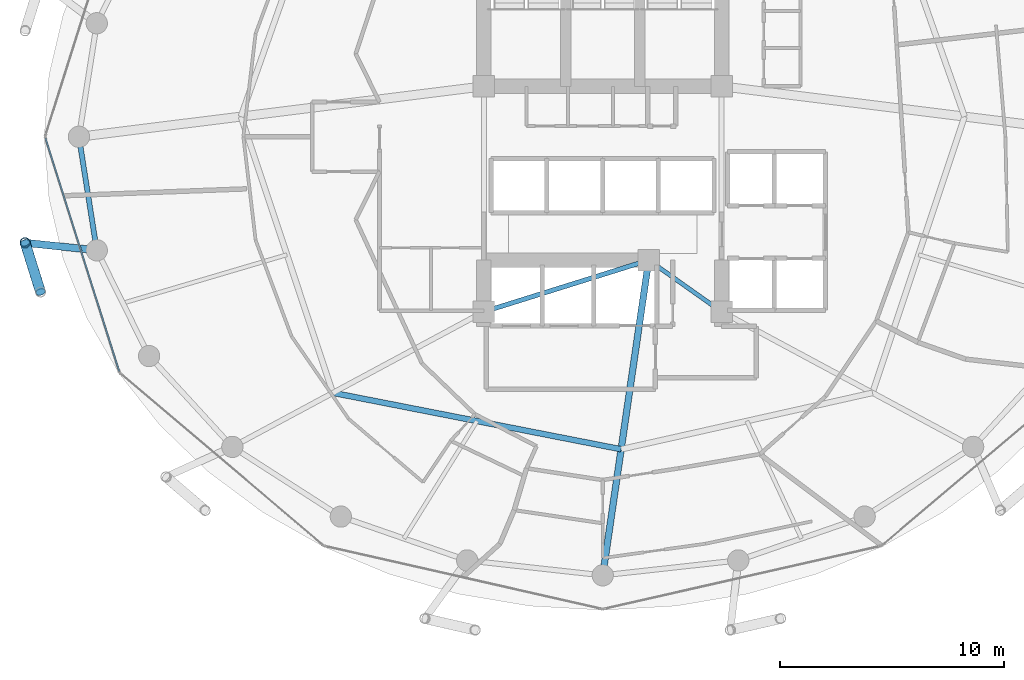
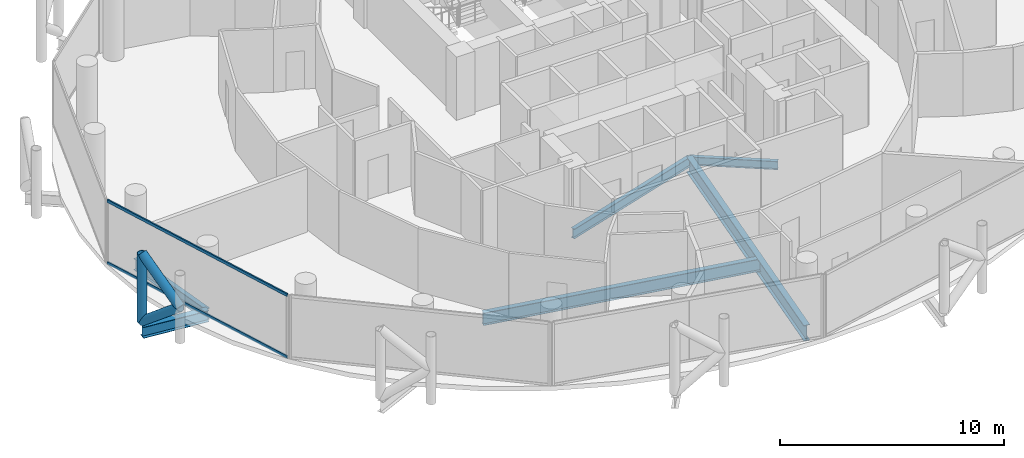
# One storey, part 5 of 26: 6 beams, 5 members, 1 element without a shape of its own.
"""IFC4 building model written with IfcOpenShell, lengths in metres."""

import ifcopenshell
import ifcopenshell.guid

model = None  # the IFC model being written
_history = None  # IfcOwnerHistory: only IFC2X3 demands one
_inside = {}  # id of a spatial element -> (the spatial element, [elements in it])
_under = {}  # id of a project, library or spatial element -> (it, [spatial elements below it])
_declared = {}  # id of a project -> (the project, [libraries it declares])
_typed = {}  # id of a type object -> (the type object, [elements of that type])
_made_of = {}  # id of a material, layer set ... -> (it, [elements and type objects made of it])


def new_model(schema):
    """Start an empty IFC model of exactly this schema.

    Asked for "IFC4X3", IfcOpenShell would pick the latest addendum, in which some entities
    have other attributes; the version numbers below select the first issue.
    IFC2X3 requires an IfcOwnerHistory on every rooted entity: one is made here for all.
    """
    global model, _history
    if schema == "IFC4X3":
        model = ifcopenshell.file(schema_version=(4, 3, 0, 0))
    else:
        model = ifcopenshell.file(schema=schema)
    _inside.clear()
    _under.clear()
    _declared.clear()
    _typed.clear()
    _made_of.clear()
    _history = None
    if model.schema == "IFC2X3":
        org = make("IfcOrganization", Name="unknown")
        user = make(
            "IfcPersonAndOrganization",
            ThePerson=make("IfcPerson", FamilyName="unknown"),
            TheOrganization=org,
        )
        app = make(
            "IfcApplication",
            ApplicationDeveloper=org,
            Version="unknown",
            ApplicationFullName="unknown",
            ApplicationIdentifier="unknown",
        )
        _history = make(
            "IfcOwnerHistory",
            OwningUser=user,
            OwningApplication=app,
            ChangeAction="ADDED",
            CreationDate=0,
        )
    return model


def make(cls, **values):
    """One entity of the class cls with the attributes given. An attribute that is None is left unset."""
    return model.create_entity(
        cls, **{name: value for name, value in values.items() if value is not None}
    )


def rooted(cls, **values):
    """An entity with a GlobalId (a new one), such as an element, a storey or a relation."""
    return make(cls, GlobalId=ifcopenshell.guid.new(), OwnerHistory=_history, **values)


def si_unit(unit_type, name, prefix=None):
    """IfcSIUnit, for example si_unit("LENGTHUNIT", "METRE", prefix="MILLI")."""
    return make("IfcSIUnit", UnitType=unit_type, Prefix=prefix, Name=name)


def assignment(units):
    """IfcUnitAssignment: the units of a project."""
    return None if units is None else make("IfcUnitAssignment", Units=units)


def point(xyz):
    """IfcCartesianPoint."""
    return None if xyz is None else make("IfcCartesianPoint", Coordinates=xyz)


def direction(xyz):
    """IfcDirection."""
    return None if xyz is None else make("IfcDirection", DirectionRatios=xyz)


def frame(location, z_axis=None, x_axis=None):
    """IfcAxis2Placement3D, a coordinate frame: its origin and axes. An axis left out is left unset."""
    return make(
        "IfcAxis2Placement3D",
        Location=point(location),
        Axis=direction(z_axis),
        RefDirection=direction(x_axis),
    )


def frame_2d(location, x_axis=None):
    """IfcAxis2Placement2D, a coordinate frame in the plane: its origin and x axis."""
    return make(
        "IfcAxis2Placement2D", Location=point(location), RefDirection=direction(x_axis)
    )


def origin():
    """The frame at (0, 0, 0) with its axes left unset."""
    return frame((0.0, 0.0, 0.0))


def origin_2d():
    """The frame at (0, 0) in the plane with its x axis left unset."""
    return frame_2d((0.0, 0.0))


def place(relative_to, where):
    """IfcLocalPlacement: puts the frame where relative to a parent placement (None: the world)."""
    return make(
        "IfcLocalPlacement", PlacementRelTo=relative_to, RelativePlacement=where
    )


def context(
    kind, dimensions, precision=None, world=None, true_north=None, identifier=None
):
    """IfcGeometricRepresentationContext, for example the 3D "Model" context."""
    return make(
        "IfcGeometricRepresentationContext",
        ContextIdentifier=identifier,
        ContextType=kind,
        CoordinateSpaceDimension=dimensions,
        Precision=precision,
        WorldCoordinateSystem=world,
        TrueNorth=true_north,
    )


def subcontext(parent, identifier, kind, view, scale=None):
    """IfcGeometricRepresentationSubContext, for example "Body" below "Model"."""
    return make(
        "IfcGeometricRepresentationSubContext",
        ContextIdentifier=identifier,
        ContextType=kind,
        ParentContext=parent,
        TargetScale=scale,
        TargetView=view,
    )


def project(units=None, contexts=None):
    """IfcProject with its units and contexts."""
    return rooted(
        "IfcProject",
        Name="project",
        RepresentationContexts=contexts,
        UnitsInContext=assignment(units),
    )


def spatial(cls, under=None, at=None, **own):
    """A site, building, storey or space (cls), placed at a placement, below another one or the project."""
    s = rooted(cls, ObjectPlacement=at, **own)
    if under is not None:
        _under.setdefault(under.id(), (under, []))[1].append(s)
    return s


def profile(cls, at=None, kind="AREA", **sizes):
    """A parametric profile (cls). Its sizes go by their IFC names, for example OverallWidth=200.0."""
    return make(cls, ProfileType=kind, Position=at, **sizes)


def hollow_rectangle(**sizes):
    """IfcRectangleHollowProfileDef."""
    return profile("IfcRectangleHollowProfileDef", **sizes)


def hollow_circle(**sizes):
    """IfcCircleHollowProfileDef."""
    return profile("IfcCircleHollowProfileDef", **sizes)


def i_section(**sizes):
    """IfcIShapeProfileDef."""
    return profile("IfcIShapeProfileDef", **sizes)


def extrude(swept, where, along, depth):
    """IfcExtrudedAreaSolid: the profile swept, set in the frame where, extruded along a direction by depth."""
    return make(
        "IfcExtrudedAreaSolid",
        SweptArea=swept,
        Position=where,
        ExtrudedDirection=direction(along),
        Depth=depth,
    )


def shape(context_of_items, identifier, shape_type, items):
    """IfcShapeRepresentation: the items that make up one representation, for example the "Body"."""
    return make(
        "IfcShapeRepresentation",
        ContextOfItems=context_of_items,
        RepresentationIdentifier=identifier,
        RepresentationType=shape_type,
        Items=items,
    )


def material(Name=None, Category=None):
    """IfcMaterial."""
    return make("IfcMaterial", Name=Name, Category=Category)


def layer(
    of_material, thickness, ventilated=None, Name=None, Category=None, Priority=None
):
    """IfcMaterialLayer: one layer of a wall or slab, of a material (None: an air gap)."""
    return make(
        "IfcMaterialLayer",
        Material=of_material,
        LayerThickness=thickness,
        IsVentilated=ventilated,
        Name=Name,
        Category=Category,
        Priority=Priority,
    )


def layer_set(layers, Name=None):
    """IfcMaterialLayerSet."""
    return make("IfcMaterialLayerSet", MaterialLayers=layers, LayerSetName=Name)


def material_profile(
    of_material, cross_section, Name=None, Category=None, Priority=None
):
    """IfcMaterialProfile: a cross section and its material."""
    return make(
        "IfcMaterialProfile",
        Name=Name,
        Material=of_material,
        Profile=cross_section,
        Priority=Priority,
        Category=Category,
    )


def profile_set(profiles, Name=None, composite=None):
    """IfcMaterialProfileSet."""
    return make(
        "IfcMaterialProfileSet",
        Name=Name,
        MaterialProfiles=profiles,
        CompositeProfile=composite,
    )


def made_of(thing, what):
    """Note that an element or type object is made of a material, layer set ...; save() writes the relation."""
    if what is not None:
        _made_of.setdefault(what.id(), (what, []))[1].append(thing)
    return thing


def type_object(cls, material=None, **own):
    """A type object (cls), such as IfcWallType, which elements share."""
    return made_of(rooted(cls, **own), material)


def element(
    cls,
    number,
    at=None,
    inside=None,
    cuts=None,
    type_object=None,
    material=None,
    context=None,
    identifier="Body",
    shape_type=None,
    held_by="IfcProductDefinitionShape",
    body=None,
    shapes=None,
    **own,
):
    """One element of the class cls, such as IfcWall. Its Tag is "e" and its number.

    at: its placement. inside: the storey or other place that contains it. cuts: it is an
    opening in that element (IfcRelVoidsElement). A single representation is given by context,
    identifier, shape_type and body (its items); several are given by shapes. held_by: the class
    of the entity that holds the representations. save() writes the other relations.
    """
    e = rooted(cls, Tag="e%d" % number, ObjectPlacement=at, **own)
    if body is not None:
        shapes = [shape(context, identifier, shape_type, body)]
    if shapes is not None:
        e.Representation = make(held_by, Representations=shapes)
    if inside is not None:
        _inside.setdefault(inside.id(), (inside, []))[1].append(e)
    if cuts is not None:
        rooted(
            "IfcRelVoidsElement", RelatingBuildingElement=cuts, RelatedOpeningElement=e
        )
    if type_object is not None:
        _typed.setdefault(type_object.id(), (type_object, []))[1].append(e)
    return made_of(e, material)


def aggregate(whole, parts):
    """IfcRelAggregates: a whole, such as a stair, and the parts it consists of."""
    return rooted("IfcRelAggregates", RelatingObject=whole, RelatedObjects=parts)


def save(model, path):
    """Write the relations noted so far, then the file.

    IfcRelAggregates (storeys below a building ...), IfcRelContainedInSpatialStructure (elements
    in a storey), IfcRelDefinesByType, IfcRelAssociatesMaterial and IfcRelDeclares: one each for
    every whole, place, type object, material and project.
    """
    for whole, parts in _under.values():
        aggregate(whole, parts)
    for where, things in _inside.values():
        rooted(
            "IfcRelContainedInSpatialStructure",
            RelatedElements=things,
            RelatingStructure=where,
        )
    for kind, things in _typed.values():
        rooted("IfcRelDefinesByType", RelatedObjects=things, RelatingType=kind)
    for what, things in _made_of.values():
        rooted("IfcRelAssociatesMaterial", RelatedObjects=things, RelatingMaterial=what)
    for by, libraries in _declared.values():
        rooted("IfcRelDeclares", RelatingContext=by, RelatedDefinitions=libraries)
    model.write(path)


model = new_model("IFC4")

# Units and contexts
model_context = context("Model", 3, precision=1e-05, world=origin(), true_north=direction((0.0, 1.0)))
body_context = subcontext(model_context, "Body", "Model", "MODEL_VIEW")
ifc_project = project(units=[si_unit("LENGTHUNIT", "METRE"), si_unit("AREAUNIT", "SQUARE_METRE"), si_unit("VOLUMEUNIT", "CUBIC_METRE"), si_unit("PLANEANGLEUNIT", "RADIAN"), si_unit("MASSUNIT", "GRAM", prefix="KILO")], contexts=[model_context])

# Site, building, storey
site_placement = place(None, origin())
site = spatial("IfcSite", under=ifc_project, at=site_placement, CompositionType="ELEMENT")
building_placement = place(site_placement, origin())
building = spatial("IfcBuilding", under=site, at=building_placement, Name="Nuhasar Tower", CompositionType="ELEMENT")
storey_placement = place(building_placement, frame((0.0, 0.0, 129.35009765625)))
storey = spatial("IfcBuildingStorey", under=building, at=storey_placement, Name="L30", CompositionType="ELEMENT", Elevation=129.35009765625)

# Beams
ifc_material_1 = material(Name="Steel S355", Category="steel")
ifc_material_profile_1 = material_profile(ifc_material_1, i_section(OverallWidth=0.25390625, OverallDepth=0.68408203125, WebThickness=0.012451171875, FlangeThickness=0.018798828125, at=origin_2d()), Name="W27X94")
ifc_profile_set_1 = profile_set([ifc_material_profile_1], Name="Steel S355")
beam_type_1 = type_object("IfcBeamType", Name="BM-INRING-W27X94", PredefinedType="BEAM", material=ifc_profile_set_1)
beam_1_placement = place(storey_placement, frame((26.972900390625, 15.385986328125, -0.592041015625), z_axis=(0.981359637088, -0.192180286956, 0.0), x_axis=(0.192180286956, 0.981359637088, 0.0)))
element("IfcBeam", 1, at=beam_1_placement, inside=storey, type_object=beam_type_1, Name="L30 Inner Header Beam 01", PredefinedType="BEAM", context=body_context, shape_type="SweptSolid", body=[
    extrude(i_section(OverallWidth=0.25390625, OverallDepth=0.68408203125, WebThickness=0.012451171875, FlangeThickness=0.018798828125, at=origin_2d()), origin(), (0.0, 0.0, 1.0), 13.09130859375),
])
ifc_material_profile_2 = material_profile(ifc_material_1, i_section(OverallWidth=0.2919921875, OverallDepth=0.85888671875, WebThickness=0.01708984375, FlangeThickness=0.031005859375, at=origin_2d()), Name="W33X169")
ifc_profile_set_2 = profile_set([ifc_material_profile_2], Name="Steel S355")
beam_type_2 = type_object("IfcBeamType", Name="BM-POD-W33X169", PredefinedType="BEAM", material=ifc_profile_set_2)
beam_2_placement = place(storey_placement, frame((41.050048828125, 21.300048828125, -0.67919921875), z_axis=(-0.144381604017, -0.989522082837, 0.0), x_axis=(0.989522082837, -0.144381604017, 0.0)))
element("IfcBeam", 2, at=beam_2_placement, inside=storey, type_object=beam_type_2, Name="L30 Radial Floor Girder 02", PredefinedType="BEAM", context=body_context, shape_type="SweptSolid", body=[
    extrude(i_section(OverallWidth=0.2919921875, OverallDepth=0.85888671875, WebThickness=0.01708984375, FlangeThickness=0.031005859375, at=origin_2d()), origin(), (0.0, 0.0, 1.0), 14.19873046875),
])
ifc_material_profile_3 = material_profile(ifc_material_1, i_section(OverallWidth=0.18994140625, OverallDepth=0.45703125, WebThickness=0.009033203125, FlangeThickness=0.014404296875, at=origin_2d()), Name="W18X50")
ifc_profile_set_3 = profile_set([ifc_material_profile_3], Name="Steel S355")
beam_type_3 = type_object("IfcBeamType", Name="BM-RAD-W18X50", PredefinedType="BEAM", material=ifc_profile_set_3)
beam_3_placement = place(storey_placement, frame((41.050048828125, 21.300048828125, -0.47900390625), z_axis=(0.816265428953, -0.577677028708, 0.0), x_axis=(0.577677028708, 0.816265428953, 0.0)))
element("IfcBeam", 3, at=beam_3_placement, inside=storey, type_object=beam_type_3, Name="L30 Core Ring Girder 2", PredefinedType="BEAM", context=body_context, shape_type="SweptSolid", body=[
    extrude(i_section(OverallWidth=0.18994140625, OverallDepth=0.45703125, WebThickness=0.009033203125, FlangeThickness=0.014404296875, at=origin_2d()), origin(), (0.0, 0.0, 1.0), 3.9814453125),
])
ifc_material_profile_4 = material_profile(ifc_material_1, i_section(OverallWidth=0.208984375, OverallDepth=0.532958984375, WebThickness=0.01025390625, FlangeThickness=0.015625, at=origin_2d()), Name="W21X62")
ifc_profile_set_4 = profile_set([ifc_material_profile_4], Name="Steel S355")
beam_type_4 = type_object("IfcBeamType", Name="BM-RAD-W21X62", PredefinedType="BEAM", material=ifc_profile_set_4)
beam_4_placement = place(storey_placement, frame((33.699951171875, 19.0, -0.51708984375), z_axis=(0.954363709454, 0.298646798205, 0.0), x_axis=(-0.298646798205, 0.954363709454, 0.0)))
element("IfcBeam", 4, at=beam_4_placement, inside=storey, type_object=beam_type_4, Name="L30 Core Ring Girder 1", PredefinedType="BEAM", context=body_context, shape_type="SweptSolid", body=[
    extrude(i_section(OverallWidth=0.208984375, OverallDepth=0.532958984375, WebThickness=0.01025390625, FlangeThickness=0.015625, at=origin_2d()), origin(), (0.0, 0.0, 1.0), 7.70166015625),
])
ifc_material_profile_5 = material_profile(ifc_material_1, i_section(OverallWidth=0.22998046875, OverallDepth=0.616943359375, WebThickness=0.01318359375, FlangeThickness=0.022216796875, at=origin_2d()), Name="W24X94")
ifc_profile_set_5 = profile_set([ifc_material_profile_5], Name="Steel S355")
beam_type_5 = type_object("IfcBeamType", Name="BM-RING-W24X94", PredefinedType="SPANDREL", material=ifc_profile_set_5)
beam_5_placement = place(storey_placement, frame((15.64990234375, 26.800048828125, -0.55908203125), z_axis=(0.155426543608, -0.987847452566, 0.0), x_axis=(0.987847452566, 0.155426543608, 0.0)))
element("IfcBeam", 5, at=beam_5_placement, inside=storey, type_object=beam_type_5, Name="L30 Perimeter Ring Spandrel 13", PredefinedType="SPANDREL", context=body_context, shape_type="SweptSolid", body=[
    extrude(i_section(OverallWidth=0.22998046875, OverallDepth=0.616943359375, WebThickness=0.01318359375, FlangeThickness=0.022216796875, at=origin_2d()), origin(), (0.0, 0.0, 1.0), 5.122314453125),
])
ifc_material_profile_6 = material_profile(ifc_material_1, i_section(OverallWidth=0.323974609375, OverallDepth=0.611083984375, WebThickness=0.0126953125, FlangeThickness=0.01904296875, at=origin_2d()), Name="W24X104")
ifc_profile_set_6 = profile_set([ifc_material_profile_6], Name="Steel S355")
beam_type_6 = type_object("IfcBeamType", Name="BM-TIE-W24X104", PredefinedType="BEAM", material=ifc_profile_set_6)
beam_6_placement = place(storey_placement, frame((16.446044921875, 21.739990234375, -0.55615234375), z_axis=(-0.994577694483, 0.103996200111, 0.0), x_axis=(-0.103996200111, -0.994577694483, 0.0)))
element("IfcBeam", 6, at=beam_6_placement, inside=storey, type_object=beam_type_6, Name="L30 Exoskeleton Node Tie Beam 07", PredefinedType="BEAM", context=body_context, shape_type="SweptSolid", body=[
    extrude(i_section(OverallWidth=0.323974609375, OverallDepth=0.611083984375, WebThickness=0.0126953125, FlangeThickness=0.01904296875, at=origin_2d()), origin(), (0.0, 0.0, 1.0), 3.21142578125),
])

# Curtain wall, members
ifc_material_2 = material(Name="Aluminium 6063-T6", Category="aluminium")
ifc_layer = layer(ifc_material_2, 0.199951171875)
ifc_layer_set = layer_set([ifc_layer], Name="Aluminium 6063-T6")
curtain_wall_type = type_object("IfcCurtainWallType", Name="CW-Z2-HTL", PredefinedType="NOTDEFINED", material=ifc_layer_set)
curtain_wall_placement = place(storey_placement, origin())
curtain_wall = element("IfcCurtainWall", 7, at=curtain_wall_placement, inside=storey, type_object=curtain_wall_type, Name="L30 Unitised Curtain Wall 07", PredefinedType="NOTDEFINED")
ifc_material_profile_7 = material_profile(ifc_material_2, hollow_rectangle(XDim=0.070068359375, YDim=0.159912109375, WallThickness=0.00439453125, at=origin_2d()), Name="CWT-3")
ifc_profile_set_7 = profile_set([ifc_material_profile_7], Name="Aluminium 6063-T6")
member_type_1 = type_object("IfcMemberType", Name="CW-TRN-S3", PredefinedType="USERDEFINED", material=ifc_profile_set_7)
member_1_placement = place(storey_placement, frame((14.1611328125, 26.733154296875, 0.034912109375), z_axis=(0.301608163352, -0.953431967053, 0.0), x_axis=(0.953431967053, 0.301608163352, 0.0)))
member_1 = element("IfcMember", 8, at=member_1_placement, type_object=member_type_1, Name="CW-Z2 transom 1.1", ObjectType="TRANSOM", PredefinedType="USERDEFINED", context=body_context, shape_type="SweptSolid", body=[
    extrude(hollow_rectangle(XDim=0.070068359375, YDim=0.159912109375, WallThickness=0.00439453125, at=origin_2d()), origin(), (0.0, 0.0, 1.0), 10.904296875),
])
member_2_placement = place(storey_placement, frame((14.1611328125, 26.733154296875, 3.414794921875), z_axis=(0.301608163352, -0.953431967053, 0.0), x_axis=(0.953431967053, 0.301608163352, 0.0)))
member_2 = element("IfcMember", 9, at=member_2_placement, type_object=member_type_1, Name="CW-Z2 transom 1.2", ObjectType="TRANSOM", PredefinedType="USERDEFINED", context=body_context, shape_type="SweptSolid", body=[
    extrude(hollow_rectangle(XDim=0.070068359375, YDim=0.159912109375, WallThickness=0.00439453125, at=origin_2d()), origin(), (0.0, 0.0, 1.0), 10.904296875),
])
aggregate(curtain_wall, [member_1, member_2])

# Members
ifc_material_3 = material(Name="Steel S460", Category="steel")
ifc_material_profile_8 = material_profile(ifc_material_3, hollow_circle(Radius=0.228515625, WallThickness=0.022216796875, at=origin_2d()), Name="HSS457X22.2")
ifc_profile_set_8 = profile_set([ifc_material_profile_8], Name="Steel S460")
member_type_2 = type_object("IfcMemberType", Name="EXO-BRONZE-457", PredefinedType="BRACE", material=ifc_profile_set_8)
member_3_placement = place(storey_placement, frame((13.251953125, 22.073974609375, 0.0), z_axis=(0.0, 0.0, 1.0), x_axis=(1.0, 0.0, 0.0)))
element("IfcMember", 10, at=member_3_placement, inside=storey, type_object=member_type_2, Name="L30 Exoskeleton Chord Column EC-07A", PredefinedType="BRACE", context=body_context, shape_type="SweptSolid", body=[
    extrude(hollow_circle(Radius=0.228515625, WallThickness=0.022216796875, at=origin_2d()), origin(), (0.0, 0.0, 1.0), 3.699951171875),
])
member_4_placement = place(storey_placement, frame((13.251953125, 22.073974609375, 0.0), z_axis=(0.233067628236, -0.74361641074, 0.626669062861), x_axis=(0.954228474306, 0.29907861646, 0.0)))
element("IfcMember", 11, at=member_4_placement, inside=storey, type_object=member_type_2, Name="L30 Bronze Diagrid Brace W1-07", PredefinedType="BRACE", context=body_context, shape_type="SweptSolid", body=[
    extrude(hollow_circle(Radius=0.228515625, WallThickness=0.022216796875, at=origin_2d()), origin(), (0.0, 0.0, 1.0), 2.951904296875),
])
member_5_placement = place(storey_placement, frame((13.93994140625, 19.87890625, 1.849853515625), z_axis=(-0.233055548538, 0.743577869731, 0.626719285599), x_axis=(-0.954228474306, -0.29907861646, 0.0)))
element("IfcMember", 12, at=member_5_placement, inside=storey, type_object=member_type_2, Name="L30 Bronze Diagrid Brace W2-07", PredefinedType="BRACE", context=body_context, shape_type="SweptSolid", body=[
    extrude(hollow_circle(Radius=0.228515625, WallThickness=0.022216796875, at=origin_2d()), origin(), (0.0, 0.0, 1.0), 2.9521484375),
])

save(model, "model.ifc")
